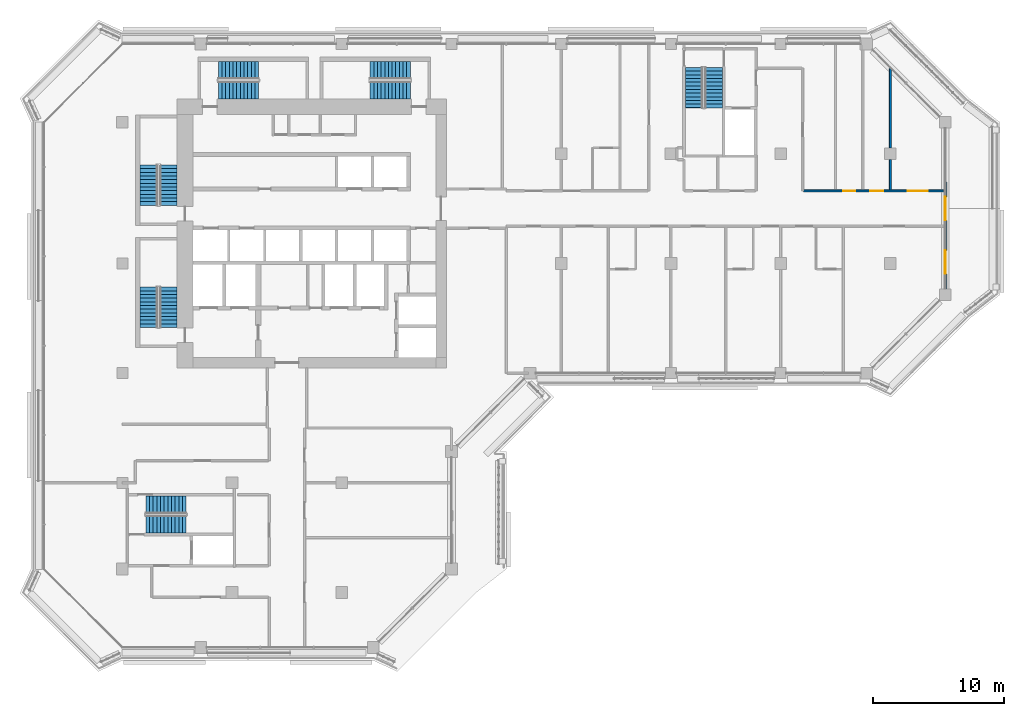
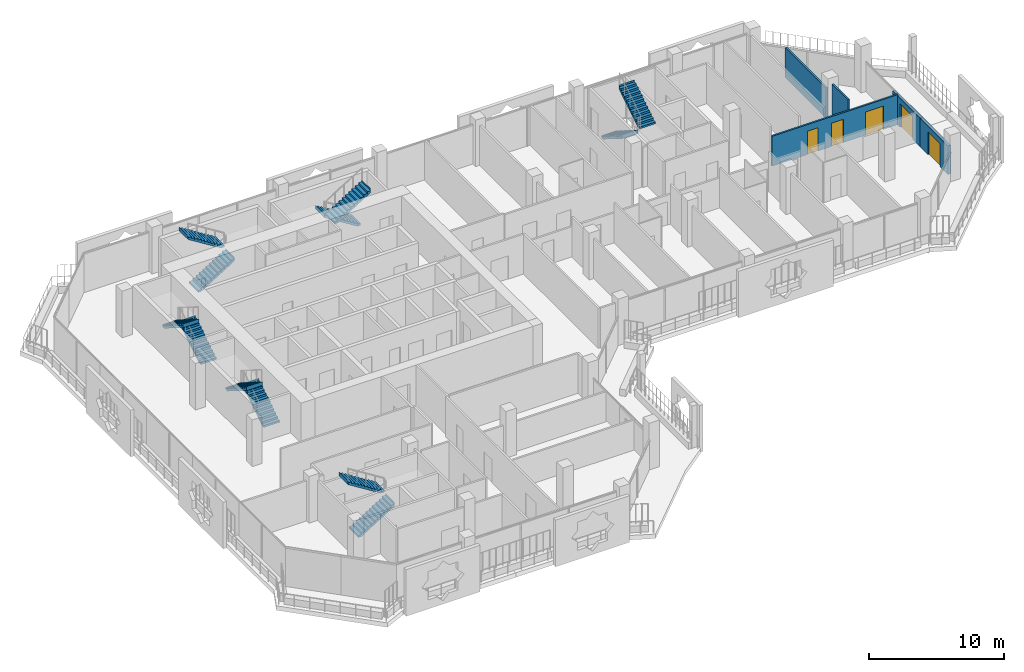
# One storey, part 13 of 21: 12 stair flights, 5 doors, 5 walls, 5 openings, 6 elements without a shape of their own.
"""IFC4 building model written with IfcOpenShell, lengths in metres."""

import ifcopenshell
import ifcopenshell.guid

model = None  # the IFC model being written
_history = None  # IfcOwnerHistory: only IFC2X3 demands one
_inside = {}  # id of a spatial element -> (the spatial element, [elements in it])
_under = {}  # id of a project, library or spatial element -> (it, [spatial elements below it])
_declared = {}  # id of a project -> (the project, [libraries it declares])
_typed = {}  # id of a type object -> (the type object, [elements of that type])
_made_of = {}  # id of a material, layer set ... -> (it, [elements and type objects made of it])


def new_model(schema):
    """Start an empty IFC model of exactly this schema.

    Asked for "IFC4X3", IfcOpenShell would pick the latest addendum, in which some entities
    have other attributes; the version numbers below select the first issue.
    IFC2X3 requires an IfcOwnerHistory on every rooted entity: one is made here for all.
    """
    global model, _history
    if schema == "IFC4X3":
        model = ifcopenshell.file(schema_version=(4, 3, 0, 0))
    else:
        model = ifcopenshell.file(schema=schema)
    _inside.clear()
    _under.clear()
    _declared.clear()
    _typed.clear()
    _made_of.clear()
    _history = None
    if model.schema == "IFC2X3":
        org = make("IfcOrganization", Name="unknown")
        user = make(
            "IfcPersonAndOrganization",
            ThePerson=make("IfcPerson", FamilyName="unknown"),
            TheOrganization=org,
        )
        app = make(
            "IfcApplication",
            ApplicationDeveloper=org,
            Version="unknown",
            ApplicationFullName="unknown",
            ApplicationIdentifier="unknown",
        )
        _history = make(
            "IfcOwnerHistory",
            OwningUser=user,
            OwningApplication=app,
            ChangeAction="ADDED",
            CreationDate=0,
        )
    return model


def make(cls, **values):
    """One entity of the class cls with the attributes given. An attribute that is None is left unset."""
    return model.create_entity(
        cls, **{name: value for name, value in values.items() if value is not None}
    )


def rooted(cls, **values):
    """An entity with a GlobalId (a new one), such as an element, a storey or a relation."""
    return make(cls, GlobalId=ifcopenshell.guid.new(), OwnerHistory=_history, **values)


def si_unit(unit_type, name, prefix=None):
    """IfcSIUnit, for example si_unit("LENGTHUNIT", "METRE", prefix="MILLI")."""
    return make("IfcSIUnit", UnitType=unit_type, Prefix=prefix, Name=name)


def assignment(units):
    """IfcUnitAssignment: the units of a project."""
    return None if units is None else make("IfcUnitAssignment", Units=units)


def point(xyz):
    """IfcCartesianPoint."""
    return None if xyz is None else make("IfcCartesianPoint", Coordinates=xyz)


def direction(xyz):
    """IfcDirection."""
    return None if xyz is None else make("IfcDirection", DirectionRatios=xyz)


def frame(location, z_axis=None, x_axis=None):
    """IfcAxis2Placement3D, a coordinate frame: its origin and axes. An axis left out is left unset."""
    return make(
        "IfcAxis2Placement3D",
        Location=point(location),
        Axis=direction(z_axis),
        RefDirection=direction(x_axis),
    )


def frame_2d(location, x_axis=None):
    """IfcAxis2Placement2D, a coordinate frame in the plane: its origin and x axis."""
    return make(
        "IfcAxis2Placement2D", Location=point(location), RefDirection=direction(x_axis)
    )


def origin():
    """The frame at (0, 0, 0) with its axes left unset."""
    return frame((0.0, 0.0, 0.0))


def place(relative_to, where):
    """IfcLocalPlacement: puts the frame where relative to a parent placement (None: the world)."""
    return make(
        "IfcLocalPlacement", PlacementRelTo=relative_to, RelativePlacement=where
    )


def context(
    kind, dimensions, precision=None, world=None, true_north=None, identifier=None
):
    """IfcGeometricRepresentationContext, for example the 3D "Model" context."""
    return make(
        "IfcGeometricRepresentationContext",
        ContextIdentifier=identifier,
        ContextType=kind,
        CoordinateSpaceDimension=dimensions,
        Precision=precision,
        WorldCoordinateSystem=world,
        TrueNorth=true_north,
    )


def subcontext(parent, identifier, kind, view, scale=None):
    """IfcGeometricRepresentationSubContext, for example "Body" below "Model"."""
    return make(
        "IfcGeometricRepresentationSubContext",
        ContextIdentifier=identifier,
        ContextType=kind,
        ParentContext=parent,
        TargetScale=scale,
        TargetView=view,
    )


def project(units=None, contexts=None):
    """IfcProject with its units and contexts."""
    return rooted(
        "IfcProject",
        Name="project",
        RepresentationContexts=contexts,
        UnitsInContext=assignment(units),
    )


def spatial(cls, under=None, at=None, **own):
    """A site, building, storey or space (cls), placed at a placement, below another one or the project."""
    s = rooted(cls, ObjectPlacement=at, **own)
    if under is not None:
        _under.setdefault(under.id(), (under, []))[1].append(s)
    return s


def polyline(points):
    """IfcPolyline through the points."""
    return make("IfcPolyline", Points=[point(p) for p in points])


def profile(cls, at=None, kind="AREA", **sizes):
    """A parametric profile (cls). Its sizes go by their IFC names, for example OverallWidth=200.0."""
    return make(cls, ProfileType=kind, Position=at, **sizes)


def rectangle(**sizes):
    """IfcRectangleProfileDef."""
    return profile("IfcRectangleProfileDef", **sizes)


def outline(outer, holes=None, kind="AREA"):
    """IfcArbitraryClosedProfileDef: a profile drawn as a closed curve; with holes, ...WithVoids."""
    if holes is None:
        return make("IfcArbitraryClosedProfileDef", ProfileType=kind, OuterCurve=outer)
    return make(
        "IfcArbitraryProfileDefWithVoids",
        ProfileType=kind,
        OuterCurve=outer,
        InnerCurves=holes,
    )


def extrude(swept, where, along, depth):
    """IfcExtrudedAreaSolid: the profile swept, set in the frame where, extruded along a direction by depth."""
    return make(
        "IfcExtrudedAreaSolid",
        SweptArea=swept,
        Position=where,
        ExtrudedDirection=direction(along),
        Depth=depth,
    )


def shape(context_of_items, identifier, shape_type, items):
    """IfcShapeRepresentation: the items that make up one representation, for example the "Body"."""
    return make(
        "IfcShapeRepresentation",
        ContextOfItems=context_of_items,
        RepresentationIdentifier=identifier,
        RepresentationType=shape_type,
        Items=items,
    )


def material(Name=None, Category=None):
    """IfcMaterial."""
    return make("IfcMaterial", Name=Name, Category=Category)


def layer(
    of_material, thickness, ventilated=None, Name=None, Category=None, Priority=None
):
    """IfcMaterialLayer: one layer of a wall or slab, of a material (None: an air gap)."""
    return make(
        "IfcMaterialLayer",
        Material=of_material,
        LayerThickness=thickness,
        IsVentilated=ventilated,
        Name=Name,
        Category=Category,
        Priority=Priority,
    )


def layer_set(layers, Name=None):
    """IfcMaterialLayerSet."""
    return make("IfcMaterialLayerSet", MaterialLayers=layers, LayerSetName=Name)


def made_of(thing, what):
    """Note that an element or type object is made of a material, layer set ...; save() writes the relation."""
    if what is not None:
        _made_of.setdefault(what.id(), (what, []))[1].append(thing)
    return thing


def type_object(cls, material=None, **own):
    """A type object (cls), such as IfcWallType, which elements share."""
    return made_of(rooted(cls, **own), material)


def element(
    cls,
    number,
    at=None,
    inside=None,
    cuts=None,
    type_object=None,
    material=None,
    context=None,
    identifier="Body",
    shape_type=None,
    held_by="IfcProductDefinitionShape",
    body=None,
    shapes=None,
    **own,
):
    """One element of the class cls, such as IfcWall. Its Tag is "e" and its number.

    at: its placement. inside: the storey or other place that contains it. cuts: it is an
    opening in that element (IfcRelVoidsElement). A single representation is given by context,
    identifier, shape_type and body (its items); several are given by shapes. held_by: the class
    of the entity that holds the representations. save() writes the other relations.
    """
    e = rooted(cls, Tag="e%d" % number, ObjectPlacement=at, **own)
    if body is not None:
        shapes = [shape(context, identifier, shape_type, body)]
    if shapes is not None:
        e.Representation = make(held_by, Representations=shapes)
    if inside is not None:
        _inside.setdefault(inside.id(), (inside, []))[1].append(e)
    if cuts is not None:
        rooted(
            "IfcRelVoidsElement", RelatingBuildingElement=cuts, RelatedOpeningElement=e
        )
    if type_object is not None:
        _typed.setdefault(type_object.id(), (type_object, []))[1].append(e)
    return made_of(e, material)


def fill(opening, filler):
    """IfcRelFillsElement: the door or window that sits in an opening."""
    return rooted(
        "IfcRelFillsElement",
        RelatingOpeningElement=opening,
        RelatedBuildingElement=filler,
    )


def aggregate(whole, parts):
    """IfcRelAggregates: a whole, such as a stair, and the parts it consists of."""
    return rooted("IfcRelAggregates", RelatingObject=whole, RelatedObjects=parts)


def save(model, path):
    """Write the relations noted so far, then the file.

    IfcRelAggregates (storeys below a building ...), IfcRelContainedInSpatialStructure (elements
    in a storey), IfcRelDefinesByType, IfcRelAssociatesMaterial and IfcRelDeclares: one each for
    every whole, place, type object, material and project.
    """
    for whole, parts in _under.values():
        aggregate(whole, parts)
    for where, things in _inside.values():
        rooted(
            "IfcRelContainedInSpatialStructure",
            RelatedElements=things,
            RelatingStructure=where,
        )
    for kind, things in _typed.values():
        rooted("IfcRelDefinesByType", RelatedObjects=things, RelatingType=kind)
    for what, things in _made_of.values():
        rooted("IfcRelAssociatesMaterial", RelatedObjects=things, RelatingMaterial=what)
    for by, libraries in _declared.values():
        rooted("IfcRelDeclares", RelatingContext=by, RelatedDefinitions=libraries)
    model.write(path)


model = new_model("IFC4")

# Units and contexts
model_context = context("Model", 3, precision=1e-05, world=origin(), true_north=direction((0.0, 1.0)))
body_context = subcontext(model_context, "Body", "Model", "MODEL_VIEW")
ifc_project = project(units=[si_unit("LENGTHUNIT", "METRE"), si_unit("AREAUNIT", "SQUARE_METRE"), si_unit("VOLUMEUNIT", "CUBIC_METRE"), si_unit("PLANEANGLEUNIT", "RADIAN"), si_unit("MASSUNIT", "GRAM", prefix="KILO")], contexts=[model_context])

# Site, building, storey
site_placement = place(None, origin())
site = spatial("IfcSite", under=ifc_project, at=site_placement, CompositionType="ELEMENT")
building_placement = place(site_placement, origin())
building = spatial("IfcBuilding", under=site, at=building_placement, Name="Kawkab Arch Medical Tower", CompositionType="ELEMENT")
storey_placement = place(building_placement, frame((0.0, 0.0, 264.199951171875)))
storey = spatial("IfcBuildingStorey", under=building, at=storey_placement, Name="L61", CompositionType="ELEMENT", Elevation=264.199951171875)

# Wall, opening, door
ifc_material_1 = material(Name="Bronze clad insulated wall panel")
ifc_layer_1 = layer(ifc_material_1, 0.25)
ifc_layer_set_1 = layer_set([ifc_layer_1], Name="Bronze clad insulated wall panel")
wall_type_1 = type_object("IfcWallType", Name="External wall bay 250", PredefinedType="SOLIDWALL", material=ifc_layer_set_1)
wall_1_placement = place(storey_placement, frame((63.0, -18.75, 0.0), z_axis=(0.0, 0.0, 1.0), x_axis=(0.0, 1.0, 0.0)))
wall_1 = element("IfcWall", 1, at=wall_1_placement, inside=storey, type_object=wall_type_1, Name="External wall bay L61.R09.1.1", PredefinedType="SOLIDWALL", context=body_context, shape_type="SweptSolid", body=[
    extrude(rectangle(XDim=4.10009765625, YDim=0.25, at=frame_2d((2.050048828125, 0.0))), origin(), (0.0, 0.0, 1.0), 2.580078125),
])
opening_1_placement = place(wall_1_placement, frame((1.14990234375, 0.0, 0.0)))
opening_1 = element("IfcOpeningElement", 2, at=opening_1_placement, cuts=wall_1, Name="Opening W56-702", PredefinedType="OPENING", context=body_context, shape_type="SweptSolid", body=[
    extrude(rectangle(XDim=1.800048828125, YDim=2.10009765625, at=frame_2d((0.89990234375, 1.050048828125))), frame((0.0, 0.135009765625, 0.0), z_axis=(0.0, -1.0, 0.0), x_axis=(1.0, 0.0, 0.0)), (0.0, 0.0, 1.0), 0.27001953125),
])
ifc_material_2 = material(Name="Bronze anodised aluminium door with tinted glass", Category="aluminium")
door_type_1 = type_object("IfcDoorType", Name="Double external door 1800 x 2100", OperationType="DOUBLE_DOOR_SINGLE_SWING", PredefinedType="DOOR", material=ifc_material_2)
door_1_placement = place(opening_1_placement, origin())
door_1 = element("IfcDoor", 3, at=door_1_placement, inside=storey, type_object=door_type_1, Name="External door L61.R09.1.1", OperationType="DOUBLE_DOOR_SINGLE_SWING", OverallHeight=2.10009765625, OverallWidth=1.800048828125, PredefinedType="DOOR", context=body_context, shape_type="SweptSolid", body=[
    extrude(rectangle(XDim=1.800048828125, YDim=2.10009765625, at=frame_2d((0.89990234375, 1.050048828125))), frame((0.0, 0.02490234375, 0.0), z_axis=(0.0, -1.0, 0.0), x_axis=(1.0, 0.0, 0.0)), (0.0, 0.0, 1.0), 0.050048828125),
])
fill(opening_1, door_1)

wall_2_placement = place(storey_placement, frame((63.0, -14.64990234375, 0.0), z_axis=(0.0, 0.0, 1.0), x_axis=(0.0, 1.0, 0.0)))
wall_2 = element("IfcWall", 4, at=wall_2_placement, inside=storey, type_object=wall_type_1, Name="External wall bay L61.R09.1.2", PredefinedType="SOLIDWALL", context=body_context, shape_type="SweptSolid", body=[
    extrude(rectangle(XDim=4.099853515625, YDim=0.25, at=frame_2d((2.0498046875, 0.0))), origin(), (0.0, 0.0, 1.0), 2.580078125),
])
opening_2_placement = place(wall_2_placement, frame((1.14990234375, 0.0, 0.0)))
opening_2 = element("IfcOpeningElement", 5, at=opening_2_placement, cuts=wall_2, Name="Opening W56-702", PredefinedType="OPENING", context=body_context, shape_type="SweptSolid", body=[
    extrude(rectangle(XDim=1.800048828125, YDim=2.10009765625, at=frame_2d((0.89990234375, 1.050048828125))), frame((0.0, 0.135009765625, 0.0), z_axis=(0.0, -1.0, 0.0), x_axis=(1.0, 0.0, 0.0)), (0.0, 0.0, 1.0), 0.27001953125),
])
door_2_placement = place(opening_2_placement, origin())
door_2 = element("IfcDoor", 6, at=door_2_placement, inside=storey, type_object=door_type_1, Name="External door L61.R09.1.2", OperationType="DOUBLE_DOOR_SINGLE_SWING", OverallHeight=2.10009765625, OverallWidth=1.800048828125, PredefinedType="DOOR", context=body_context, shape_type="SweptSolid", body=[
    extrude(rectangle(XDim=1.800048828125, YDim=2.10009765625, at=frame_2d((0.89990234375, 1.050048828125))), frame((0.0, 0.02490234375, 0.0), z_axis=(0.0, -1.0, 0.0), x_axis=(1.0, 0.0, 0.0)), (0.0, 0.0, 1.0), 0.050048828125),
])
fill(opening_2, door_2)

# Wall, openings, doors
ifc_material_3 = material(Name="Gypsum board partition on steel studs, mineral wool", Category="steel")
ifc_layer_2 = layer(ifc_material_3, 0.14990234375)
ifc_layer_set_2 = layer_set([ifc_layer_2], Name="Gypsum board partition on steel studs, mineral wool")
wall_type_2 = type_object("IfcWallType", Name="Partition 150", PredefinedType="PARTITIONING", material=ifc_layer_set_2)
wall_3_placement = place(storey_placement, frame((52.16796875, -11.25, 0.0), z_axis=(0.0, 0.0, 1.0), x_axis=(1.0, 0.0, 0.0)))
wall_3 = element("IfcWall", 7, at=wall_3_placement, inside=storey, type_object=wall_type_2, Name="Partition 150 w024", PredefinedType="PARTITIONING", context=body_context, shape_type="SweptSolid", body=[
    extrude(rectangle(XDim=10.751953125, YDim=0.14990234375, at=frame_2d((5.3759765625, 0.0))), origin(), (0.0, 0.0, 1.0), 2.699951171875),
])
opening_3_placement = place(wall_3_placement, frame((3.031982421875, 0.0, 0.0)))
opening_3 = element("IfcOpeningElement", 8, at=opening_3_placement, cuts=wall_3, Name="Opening W56-010", PredefinedType="OPENING", context=body_context, shape_type="SweptSolid", body=[
    extrude(rectangle(XDim=0.89990234375, YDim=2.10009765625, at=frame_2d((0.449951171875, 1.050048828125))), frame((0.0, 0.0849609375, 0.0), z_axis=(0.0, -1.0, 0.0), x_axis=(1.0, 0.0, 0.0)), (0.0, 0.0, 1.0), 0.169921875),
])
opening_4_placement = place(wall_3_placement, frame((5.08203125, 0.0, 0.0)))
opening_4 = element("IfcOpeningElement", 9, at=opening_4_placement, cuts=wall_3, Name="Opening W56-011", PredefinedType="OPENING", context=body_context, shape_type="SweptSolid", body=[
    extrude(rectangle(XDim=1.0, YDim=2.10009765625, at=frame_2d((0.5, 1.050048828125))), frame((0.0, 0.0849609375, 0.0), z_axis=(0.0, -1.0, 0.0), x_axis=(1.0, 0.0, 0.0)), (0.0, 0.0, 1.0), 0.169921875),
])
opening_5_placement = place(wall_3_placement, frame((7.98193359375, 0.0, 0.0)))
opening_5 = element("IfcOpeningElement", 10, at=opening_5_placement, cuts=wall_3, Name="Opening W56-005", PredefinedType="OPENING", context=body_context, shape_type="SweptSolid", body=[
    extrude(rectangle(XDim=1.5, YDim=2.10009765625, at=frame_2d((0.75, 1.050048828125))), frame((0.0, 0.0849609375, 0.0), z_axis=(0.0, -1.0, 0.0), x_axis=(1.0, 0.0, 0.0)), (0.0, 0.0, 1.0), 0.169921875),
])
ifc_material_4 = material(Name="Hollow metal door leaf")
door_type_2 = type_object("IfcDoorType", Name="Double door 1500x2100 FD30S", OperationType="NOTDEFINED", PredefinedType="DOOR", material=ifc_material_4)
door_3_placement = place(opening_5_placement, origin())
door_3 = element("IfcDoor", 11, at=door_3_placement, inside=storey, type_object=door_type_2, Name="Door W56-005", OperationType="DOUBLE_DOOR_SINGLE_SWING", OverallHeight=2.10009765625, OverallWidth=1.5, PredefinedType="DOOR", context=body_context, shape_type="SweptSolid", body=[
    extrude(rectangle(XDim=1.5, YDim=2.10009765625, at=frame_2d((0.75, 1.050048828125))), frame((0.0, 0.02490234375, 0.0), z_axis=(0.0, -1.0, 0.0), x_axis=(1.0, 0.0, 0.0)), (0.0, 0.0, 1.0), 0.050048828125),
])
fill(opening_5, door_3)
ifc_material_5 = material(Name="Timber door leaf", Category="wood")
door_type_3 = type_object("IfcDoorType", Name="Single door 1000x2100", OperationType="NOTDEFINED", PredefinedType="DOOR", material=ifc_material_5)
door_4_placement = place(opening_4_placement, origin())
door_4 = element("IfcDoor", 12, at=door_4_placement, inside=storey, type_object=door_type_3, Name="Door W56-011", OperationType="SINGLE_SWING_RIGHT", OverallHeight=2.10009765625, OverallWidth=1.0, PredefinedType="DOOR", context=body_context, shape_type="SweptSolid", body=[
    extrude(rectangle(XDim=1.0, YDim=2.10009765625, at=frame_2d((0.5, 1.050048828125))), frame((0.0, 0.02490234375, 0.0), z_axis=(0.0, -1.0, 0.0), x_axis=(1.0, 0.0, 0.0)), (0.0, 0.0, 1.0), 0.050048828125),
])
fill(opening_4, door_4)
ifc_material_6 = material(Name="Timber door leaf", Category="wood")
door_type_4 = type_object("IfcDoorType", Name="Single door 900x2100", OperationType="NOTDEFINED", PredefinedType="DOOR", material=ifc_material_6)
door_5_placement = place(opening_3_placement, origin())
door_5 = element("IfcDoor", 13, at=door_5_placement, inside=storey, type_object=door_type_4, Name="Door W56-010", OperationType="SINGLE_SWING_LEFT", OverallHeight=2.10009765625, OverallWidth=0.89990234375, PredefinedType="DOOR", context=body_context, shape_type="SweptSolid", body=[
    extrude(rectangle(XDim=0.89990234375, YDim=2.10009765625, at=frame_2d((0.449951171875, 1.050048828125))), frame((0.0, 0.02490234375, 0.0), z_axis=(0.0, -1.0, 0.0), x_axis=(1.0, 0.0, 0.0)), (0.0, 0.0, 1.0), 0.050048828125),
])
fill(opening_3, door_5)

# Walls
wall_4_placement = place(storey_placement, frame((58.800048828125, -11.175048828125, 0.0), z_axis=(0.0, 0.0, 1.0), x_axis=(0.0, 1.0, 0.0)))
element("IfcWall", 14, at=wall_4_placement, inside=storey, type_object=wall_type_2, Name="Partition 150 w058", PredefinedType="PARTITIONING", context=body_context, shape_type="SweptSolid", body=[
    extrude(rectangle(XDim=2.324951171875, YDim=0.14990234375, at=frame_2d((1.16259765625, 0.0))), origin(), (0.0, 0.0, 1.0), 3.60009765625),
])
wall_5_placement = place(storey_placement, frame((58.800048828125, -7.949951171875, 0.0), z_axis=(0.0, 0.0, 1.0), x_axis=(0.0, 1.0, 0.0)))
element("IfcWall", 15, at=wall_5_placement, inside=storey, type_object=wall_type_2, Name="Partition 150 w059", PredefinedType="PARTITIONING", context=body_context, shape_type="SweptSolid", body=[
    extrude(rectangle(XDim=6.036865234375, YDim=0.14990234375, at=frame_2d((3.0185546875, 0.0))), origin(), (0.0, 0.0, 1.0), 2.699951171875),
])

# Stair, stair flights
ifc_material_7 = material(Name="Concrete C40/50", Category="concrete")
stair_type = type_object("IfcStairType", Name="Exit stair 1350", PredefinedType="HALF_TURN_STAIR", material=ifc_material_7)
placement = place(storey_placement, origin())
stair_1 = element("IfcStair", 16, at=placement, inside=storey, type_object=stair_type, Name="L61 Exit stair ST1", PredefinedType="HALF_TURN_STAIR")
ifc_material_8 = material(Name="Concrete C40/50", Category="concrete")
stair_flight_type = type_object("IfcStairFlightType", Name="Exit stair flight 1350", PredefinedType="STRAIGHT", material=ifc_material_8)
stair_flight_1_placement = place(storey_placement, frame((3.52490234375, -12.35009765625, 0.0), z_axis=(0.0, 0.0, 1.0), x_axis=(0.0, 1.0, 0.0)))
stair_flight_1 = element("IfcStairFlight", 17, at=stair_flight_1_placement, type_object=stair_flight_type, Name="ST1 flight 1", NumberOfRisers=12, NumberOfTreads=11, PredefinedType="STRAIGHT", RiserHeight=0.175, TreadLength=0.28, context=body_context, shape_type="SweptSolid", body=[
    extrude(outline(polyline([(-0.0029296875, 0.0), (-0.0029296875, 0.175048828125), (0.0, 0.175048828125), (0.280029296875, 0.175048828125), (0.280029296875, 0.35009765625), (0.56005859375, 0.35009765625), (0.56005859375, 0.52490234375), (0.840087890625, 0.52490234375), (0.840087890625, 0.699951171875), (1.1201171875, 0.699951171875), (1.1201171875, 0.875), (1.39990234375, 0.875), (1.39990234375, 1.050048828125), (1.679931640625, 1.050048828125), (1.679931640625, 1.22509765625), (1.9599609375, 1.22509765625), (1.9599609375, 1.39990234375), (2.239990234375, 1.39990234375), (2.239990234375, 1.574951171875), (2.52001953125, 1.574951171875), (2.52001953125, 1.75), (2.800048828125, 1.75), (2.800048828125, 1.925048828125), (3.080078125, 1.925048828125), (3.080078125, 2.10009765625), (3.0830078125, 2.10009765625), (3.0830078125, 1.748291015625), (3.080078125, 1.748291015625), (0.28271484375, 0.0), (-0.0029296875, 0.0)])), frame((0.0, 0.675048828125, 0.0), z_axis=(0.0, -1.0, 0.0), x_axis=(1.0, 0.0, 0.0)), (0.0, 0.0, 1.0), 1.35009765625),
])
stair_flight_2_placement = place(storey_placement, frame((2.02490234375, -9.27001953125, 2.10009765625), z_axis=(0.0, 0.0, 1.0), x_axis=(0.0, -1.0, 0.0)))
stair_flight_2 = element("IfcStairFlight", 18, at=stair_flight_2_placement, type_object=stair_flight_type, Name="ST1 flight 2", NumberOfRisers=12, NumberOfTreads=11, PredefinedType="STRAIGHT", RiserHeight=0.175, TreadLength=0.28, context=body_context, shape_type="SweptSolid", body=[
    extrude(outline(polyline([(-0.0029296875, 0.0), (-0.0029296875, 0.175048828125), (0.0, 0.175048828125), (0.280029296875, 0.175048828125), (0.280029296875, 0.35009765625), (0.56005859375, 0.35009765625), (0.56005859375, 0.52490234375), (0.840087890625, 0.52490234375), (0.840087890625, 0.699951171875), (1.1201171875, 0.699951171875), (1.1201171875, 0.875), (1.39990234375, 0.875), (1.39990234375, 1.050048828125), (1.679931640625, 1.050048828125), (1.679931640625, 1.22509765625), (1.9599609375, 1.22509765625), (1.9599609375, 1.39990234375), (2.239990234375, 1.39990234375), (2.239990234375, 1.574951171875), (2.52001953125, 1.574951171875), (2.52001953125, 1.75), (2.800048828125, 1.75), (2.800048828125, 1.925048828125), (3.080078125, 1.925048828125), (3.080078125, 2.10009765625), (3.0830078125, 2.10009765625), (3.0830078125, 1.748291015625), (3.080078125, 1.748291015625), (0.28271484375, 0.0), (-0.0029296875, 0.0)])), frame((0.0, 0.675048828125, 0.0), z_axis=(0.0, -1.0, 0.0), x_axis=(1.0, 0.0, 0.0)), (0.0, 0.0, 1.0), 1.35009765625),
])
aggregate(stair_1, [stair_flight_1, stair_flight_2])

stair_2 = element("IfcStair", 19, at=placement, inside=storey, type_object=stair_type, Name="L61 Exit stair ST2", PredefinedType="HALF_TURN_STAIR")
stair_flight_3_placement = place(storey_placement, frame((3.52490234375, -21.699951171875, 0.0), z_axis=(0.0, 0.0, 1.0), x_axis=(0.0, 1.0, 0.0)))
stair_flight_3 = element("IfcStairFlight", 20, at=stair_flight_3_placement, type_object=stair_flight_type, Name="ST2 flight 1", NumberOfRisers=12, NumberOfTreads=11, PredefinedType="STRAIGHT", RiserHeight=0.175, TreadLength=0.28, context=body_context, shape_type="SweptSolid", body=[
    extrude(outline(polyline([(-0.0029296875, 0.0), (-0.0029296875, 0.175048828125), (0.0, 0.175048828125), (0.280029296875, 0.175048828125), (0.280029296875, 0.35009765625), (0.56005859375, 0.35009765625), (0.56005859375, 0.52490234375), (0.840087890625, 0.52490234375), (0.840087890625, 0.699951171875), (1.1201171875, 0.699951171875), (1.1201171875, 0.875), (1.39990234375, 0.875), (1.39990234375, 1.050048828125), (1.679931640625, 1.050048828125), (1.679931640625, 1.22509765625), (1.9599609375, 1.22509765625), (1.9599609375, 1.39990234375), (2.239990234375, 1.39990234375), (2.239990234375, 1.574951171875), (2.52001953125, 1.574951171875), (2.52001953125, 1.75), (2.800048828125, 1.75), (2.800048828125, 1.925048828125), (3.080078125, 1.925048828125), (3.080078125, 2.10009765625), (3.0830078125, 2.10009765625), (3.0830078125, 1.748291015625), (3.080078125, 1.748291015625), (0.28271484375, 0.0), (-0.0029296875, 0.0)])), frame((0.0, 0.675048828125, 0.0), z_axis=(0.0, -1.0, 0.0), x_axis=(1.0, 0.0, 0.0)), (0.0, 0.0, 1.0), 1.35009765625),
])
stair_flight_4_placement = place(storey_placement, frame((2.02490234375, -18.6201171875, 2.10009765625), z_axis=(0.0, 0.0, 1.0), x_axis=(0.0, -1.0, 0.0)))
stair_flight_4 = element("IfcStairFlight", 21, at=stair_flight_4_placement, type_object=stair_flight_type, Name="ST2 flight 2", NumberOfRisers=12, NumberOfTreads=11, PredefinedType="STRAIGHT", RiserHeight=0.175, TreadLength=0.28, context=body_context, shape_type="SweptSolid", body=[
    extrude(outline(polyline([(-0.0029296875, 0.0), (-0.0029296875, 0.175048828125), (0.0, 0.175048828125), (0.280029296875, 0.175048828125), (0.280029296875, 0.35009765625), (0.56005859375, 0.35009765625), (0.56005859375, 0.52490234375), (0.840087890625, 0.52490234375), (0.840087890625, 0.699951171875), (1.1201171875, 0.699951171875), (1.1201171875, 0.875), (1.39990234375, 0.875), (1.39990234375, 1.050048828125), (1.679931640625, 1.050048828125), (1.679931640625, 1.22509765625), (1.9599609375, 1.22509765625), (1.9599609375, 1.39990234375), (2.239990234375, 1.39990234375), (2.239990234375, 1.574951171875), (2.52001953125, 1.574951171875), (2.52001953125, 1.75), (2.800048828125, 1.75), (2.800048828125, 1.925048828125), (3.080078125, 1.925048828125), (3.080078125, 2.10009765625), (3.0830078125, 2.10009765625), (3.0830078125, 1.748291015625), (3.080078125, 1.748291015625), (0.28271484375, 0.0), (-0.0029296875, 0.0)])), frame((0.0, 0.675048828125, 0.0), z_axis=(0.0, -1.0, 0.0), x_axis=(1.0, 0.0, 0.0)), (0.0, 0.0, 1.0), 1.35009765625),
])
aggregate(stair_2, [stair_flight_3, stair_flight_4])

stair_3 = element("IfcStair", 22, at=placement, inside=storey, type_object=stair_type, Name="L61 Exit stair ST3", PredefinedType="HALF_TURN_STAIR")
stair_flight_5_placement = place(storey_placement, frame((7.35009765625, -3.52490234375, 0.0), z_axis=(0.0, 0.0, 1.0), x_axis=(1.0, 0.0, 0.0)))
stair_flight_5 = element("IfcStairFlight", 23, at=stair_flight_5_placement, type_object=stair_flight_type, Name="ST3 flight 1", NumberOfRisers=12, NumberOfTreads=11, PredefinedType="STRAIGHT", RiserHeight=0.175, TreadLength=0.28, context=body_context, shape_type="SweptSolid", body=[
    extrude(outline(polyline([(-0.0029296875, 0.0), (-0.0029296875, 0.175048828125), (0.0, 0.175048828125), (0.280029296875, 0.175048828125), (0.280029296875, 0.35009765625), (0.56005859375, 0.35009765625), (0.56005859375, 0.52490234375), (0.840087890625, 0.52490234375), (0.840087890625, 0.699951171875), (1.1201171875, 0.699951171875), (1.1201171875, 0.875), (1.39990234375, 0.875), (1.39990234375, 1.050048828125), (1.679931640625, 1.050048828125), (1.679931640625, 1.22509765625), (1.9599609375, 1.22509765625), (1.9599609375, 1.39990234375), (2.239990234375, 1.39990234375), (2.239990234375, 1.574951171875), (2.52001953125, 1.574951171875), (2.52001953125, 1.75), (2.800048828125, 1.75), (2.800048828125, 1.925048828125), (3.080078125, 1.925048828125), (3.080078125, 2.10009765625), (3.0830078125, 2.10009765625), (3.0830078125, 1.748291015625), (3.080078125, 1.748291015625), (0.28271484375, 0.0), (-0.0029296875, 0.0)])), frame((0.0, 0.675048828125, 0.0), z_axis=(0.0, -1.0, 0.0), x_axis=(1.0, 0.0, 0.0)), (0.0, 0.0, 1.0), 1.35009765625),
])
stair_flight_6_placement = place(storey_placement, frame((10.429931640625, -2.02490234375, 2.10009765625), z_axis=(0.0, 0.0, 1.0), x_axis=(-1.0, 0.0, 0.0)))
stair_flight_6 = element("IfcStairFlight", 24, at=stair_flight_6_placement, type_object=stair_flight_type, Name="ST3 flight 2", NumberOfRisers=12, NumberOfTreads=11, PredefinedType="STRAIGHT", RiserHeight=0.175, TreadLength=0.28, context=body_context, shape_type="SweptSolid", body=[
    extrude(outline(polyline([(-0.0029296875, 0.0), (-0.0029296875, 0.175048828125), (0.0, 0.175048828125), (0.280029296875, 0.175048828125), (0.280029296875, 0.35009765625), (0.56005859375, 0.35009765625), (0.56005859375, 0.52490234375), (0.840087890625, 0.52490234375), (0.840087890625, 0.699951171875), (1.1201171875, 0.699951171875), (1.1201171875, 0.875), (1.39990234375, 0.875), (1.39990234375, 1.050048828125), (1.679931640625, 1.050048828125), (1.679931640625, 1.22509765625), (1.9599609375, 1.22509765625), (1.9599609375, 1.39990234375), (2.239990234375, 1.39990234375), (2.239990234375, 1.574951171875), (2.52001953125, 1.574951171875), (2.52001953125, 1.75), (2.800048828125, 1.75), (2.800048828125, 1.925048828125), (3.080078125, 1.925048828125), (3.080078125, 2.10009765625), (3.0830078125, 2.10009765625), (3.0830078125, 1.748291015625), (3.080078125, 1.748291015625), (0.28271484375, 0.0), (-0.0029296875, 0.0)])), frame((0.0, 0.675048828125, 0.0), z_axis=(0.0, -1.0, 0.0), x_axis=(1.0, 0.0, 0.0)), (0.0, 0.0, 1.0), 1.35009765625),
])
aggregate(stair_3, [stair_flight_5, stair_flight_6])

stair_4 = element("IfcStair", 25, at=placement, inside=storey, type_object=stair_type, Name="L61 Exit stair ST4", PredefinedType="HALF_TURN_STAIR")
stair_flight_7_placement = place(storey_placement, frame((22.050048828125, -2.02490234375, 0.0), z_axis=(0.0, 0.0, 1.0), x_axis=(-1.0, 0.0, 0.0)))
stair_flight_7 = element("IfcStairFlight", 26, at=stair_flight_7_placement, type_object=stair_flight_type, Name="ST4 flight 1", NumberOfRisers=12, NumberOfTreads=11, PredefinedType="STRAIGHT", RiserHeight=0.175, TreadLength=0.28, context=body_context, shape_type="SweptSolid", body=[
    extrude(outline(polyline([(-0.0029296875, 0.0), (-0.0029296875, 0.175048828125), (0.0, 0.175048828125), (0.280029296875, 0.175048828125), (0.280029296875, 0.35009765625), (0.56005859375, 0.35009765625), (0.56005859375, 0.52490234375), (0.840087890625, 0.52490234375), (0.840087890625, 0.699951171875), (1.1201171875, 0.699951171875), (1.1201171875, 0.875), (1.39990234375, 0.875), (1.39990234375, 1.050048828125), (1.679931640625, 1.050048828125), (1.679931640625, 1.22509765625), (1.9599609375, 1.22509765625), (1.9599609375, 1.39990234375), (2.239990234375, 1.39990234375), (2.239990234375, 1.574951171875), (2.52001953125, 1.574951171875), (2.52001953125, 1.75), (2.800048828125, 1.75), (2.800048828125, 1.925048828125), (3.080078125, 1.925048828125), (3.080078125, 2.10009765625), (3.0830078125, 2.10009765625), (3.0830078125, 1.748291015625), (3.080078125, 1.748291015625), (0.28271484375, 0.0), (-0.0029296875, 0.0)])), frame((0.0, 0.675048828125, 0.0), z_axis=(0.0, -1.0, 0.0), x_axis=(1.0, 0.0, 0.0)), (0.0, 0.0, 1.0), 1.35009765625),
])
stair_flight_8_placement = place(storey_placement, frame((18.969970703125, -3.52490234375, 2.10009765625), z_axis=(0.0, 0.0, 1.0), x_axis=(1.0, 0.0, 0.0)))
stair_flight_8 = element("IfcStairFlight", 27, at=stair_flight_8_placement, type_object=stair_flight_type, Name="ST4 flight 2", NumberOfRisers=12, NumberOfTreads=11, PredefinedType="STRAIGHT", RiserHeight=0.175, TreadLength=0.28, context=body_context, shape_type="SweptSolid", body=[
    extrude(outline(polyline([(-0.0029296875, 0.0), (-0.0029296875, 0.175048828125), (0.0, 0.175048828125), (0.280029296875, 0.175048828125), (0.280029296875, 0.35009765625), (0.56005859375, 0.35009765625), (0.56005859375, 0.52490234375), (0.840087890625, 0.52490234375), (0.840087890625, 0.699951171875), (1.1201171875, 0.699951171875), (1.1201171875, 0.875), (1.39990234375, 0.875), (1.39990234375, 1.050048828125), (1.679931640625, 1.050048828125), (1.679931640625, 1.22509765625), (1.9599609375, 1.22509765625), (1.9599609375, 1.39990234375), (2.239990234375, 1.39990234375), (2.239990234375, 1.574951171875), (2.52001953125, 1.574951171875), (2.52001953125, 1.75), (2.800048828125, 1.75), (2.800048828125, 1.925048828125), (3.080078125, 1.925048828125), (3.080078125, 2.10009765625), (3.0830078125, 2.10009765625), (3.0830078125, 1.748291015625), (3.080078125, 1.748291015625), (0.28271484375, 0.0), (-0.0029296875, 0.0)])), frame((0.0, 0.675048828125, 0.0), z_axis=(0.0, -1.0, 0.0), x_axis=(1.0, 0.0, 0.0)), (0.0, 0.0, 1.0), 1.35009765625),
])
aggregate(stair_4, [stair_flight_7, stair_flight_8])

stair_5 = element("IfcStair", 28, at=placement, inside=storey, type_object=stair_type, Name="L61 Exit stair ST5", PredefinedType="HALF_TURN_STAIR")
stair_flight_9_placement = place(storey_placement, frame((43.77490234375, -1.800048828125, 0.0), z_axis=(0.0, 0.0, 1.0), x_axis=(0.0, -1.0, 0.0)))
stair_flight_9 = element("IfcStairFlight", 29, at=stair_flight_9_placement, type_object=stair_flight_type, Name="ST5 flight 1", NumberOfRisers=12, NumberOfTreads=11, PredefinedType="STRAIGHT", RiserHeight=0.175, TreadLength=0.28, context=body_context, shape_type="SweptSolid", body=[
    extrude(outline(polyline([(-0.0029296875, 0.0), (-0.0029296875, 0.175048828125), (0.0, 0.175048828125), (0.280029296875, 0.175048828125), (0.280029296875, 0.35009765625), (0.56005859375, 0.35009765625), (0.56005859375, 0.52490234375), (0.840087890625, 0.52490234375), (0.840087890625, 0.699951171875), (1.1201171875, 0.699951171875), (1.1201171875, 0.875), (1.39990234375, 0.875), (1.39990234375, 1.050048828125), (1.679931640625, 1.050048828125), (1.679931640625, 1.22509765625), (1.9599609375, 1.22509765625), (1.9599609375, 1.39990234375), (2.239990234375, 1.39990234375), (2.239990234375, 1.574951171875), (2.52001953125, 1.574951171875), (2.52001953125, 1.75), (2.800048828125, 1.75), (2.800048828125, 1.925048828125), (3.080078125, 1.925048828125), (3.080078125, 2.10009765625), (3.0830078125, 2.10009765625), (3.0830078125, 1.748291015625), (3.080078125, 1.748291015625), (0.28271484375, 0.0), (-0.0029296875, 0.0)])), frame((0.0, 0.675048828125, 0.0), z_axis=(0.0, -1.0, 0.0), x_axis=(1.0, 0.0, 0.0)), (0.0, 0.0, 1.0), 1.35009765625),
])
stair_flight_10_placement = place(storey_placement, frame((45.27490234375, -4.8798828125, 2.10009765625), z_axis=(0.0, 0.0, 1.0), x_axis=(0.0, 1.0, 0.0)))
stair_flight_10 = element("IfcStairFlight", 30, at=stair_flight_10_placement, type_object=stair_flight_type, Name="ST5 flight 2", NumberOfRisers=12, NumberOfTreads=11, PredefinedType="STRAIGHT", RiserHeight=0.175, TreadLength=0.28, context=body_context, shape_type="SweptSolid", body=[
    extrude(outline(polyline([(-0.0029296875, 0.0), (-0.0029296875, 0.175048828125), (0.0, 0.175048828125), (0.280029296875, 0.175048828125), (0.280029296875, 0.35009765625), (0.56005859375, 0.35009765625), (0.56005859375, 0.52490234375), (0.840087890625, 0.52490234375), (0.840087890625, 0.699951171875), (1.1201171875, 0.699951171875), (1.1201171875, 0.875), (1.39990234375, 0.875), (1.39990234375, 1.050048828125), (1.679931640625, 1.050048828125), (1.679931640625, 1.22509765625), (1.9599609375, 1.22509765625), (1.9599609375, 1.39990234375), (2.239990234375, 1.39990234375), (2.239990234375, 1.574951171875), (2.52001953125, 1.574951171875), (2.52001953125, 1.75), (2.800048828125, 1.75), (2.800048828125, 1.925048828125), (3.080078125, 1.925048828125), (3.080078125, 2.10009765625), (3.0830078125, 2.10009765625), (3.0830078125, 1.748291015625), (3.080078125, 1.748291015625), (0.28271484375, 0.0), (-0.0029296875, 0.0)])), frame((0.0, 0.675048828125, 0.0), z_axis=(0.0, -1.0, 0.0), x_axis=(1.0, 0.0, 0.0)), (0.0, 0.0, 1.0), 1.35009765625),
])
aggregate(stair_5, [stair_flight_9, stair_flight_10])

stair_6 = element("IfcStair", 31, at=placement, inside=storey, type_object=stair_type, Name="L61 Exit stair ST6", PredefinedType="HALF_TURN_STAIR")
stair_flight_11_placement = place(storey_placement, frame((1.800048828125, -36.77490234375, 0.0), z_axis=(0.0, 0.0, 1.0), x_axis=(1.0, 0.0, 0.0)))
stair_flight_11 = element("IfcStairFlight", 32, at=stair_flight_11_placement, type_object=stair_flight_type, Name="ST6 flight 1", NumberOfRisers=12, NumberOfTreads=11, PredefinedType="STRAIGHT", RiserHeight=0.175, TreadLength=0.28, context=body_context, shape_type="SweptSolid", body=[
    extrude(outline(polyline([(-0.0029296875, 0.0), (-0.0029296875, 0.175048828125), (0.0, 0.175048828125), (0.280029296875, 0.175048828125), (0.280029296875, 0.35009765625), (0.56005859375, 0.35009765625), (0.56005859375, 0.52490234375), (0.840087890625, 0.52490234375), (0.840087890625, 0.699951171875), (1.1201171875, 0.699951171875), (1.1201171875, 0.875), (1.39990234375, 0.875), (1.39990234375, 1.050048828125), (1.679931640625, 1.050048828125), (1.679931640625, 1.22509765625), (1.9599609375, 1.22509765625), (1.9599609375, 1.39990234375), (2.239990234375, 1.39990234375), (2.239990234375, 1.574951171875), (2.52001953125, 1.574951171875), (2.52001953125, 1.75), (2.800048828125, 1.75), (2.800048828125, 1.925048828125), (3.080078125, 1.925048828125), (3.080078125, 2.10009765625), (3.0830078125, 2.10009765625), (3.0830078125, 1.748291015625), (3.080078125, 1.748291015625), (0.28271484375, 0.0), (-0.0029296875, 0.0)])), frame((0.0, 0.675048828125, 0.0), z_axis=(0.0, -1.0, 0.0), x_axis=(1.0, 0.0, 0.0)), (0.0, 0.0, 1.0), 1.35009765625),
])
stair_flight_12_placement = place(storey_placement, frame((4.8798828125, -35.27490234375, 2.10009765625), z_axis=(0.0, 0.0, 1.0), x_axis=(-1.0, 0.0, 0.0)))
stair_flight_12 = element("IfcStairFlight", 33, at=stair_flight_12_placement, type_object=stair_flight_type, Name="ST6 flight 2", NumberOfRisers=12, NumberOfTreads=11, PredefinedType="STRAIGHT", RiserHeight=0.175, TreadLength=0.28, context=body_context, shape_type="SweptSolid", body=[
    extrude(outline(polyline([(-0.0029296875, 0.0), (-0.0029296875, 0.175048828125), (0.0, 0.175048828125), (0.280029296875, 0.175048828125), (0.280029296875, 0.35009765625), (0.56005859375, 0.35009765625), (0.56005859375, 0.52490234375), (0.840087890625, 0.52490234375), (0.840087890625, 0.699951171875), (1.1201171875, 0.699951171875), (1.1201171875, 0.875), (1.39990234375, 0.875), (1.39990234375, 1.050048828125), (1.679931640625, 1.050048828125), (1.679931640625, 1.22509765625), (1.9599609375, 1.22509765625), (1.9599609375, 1.39990234375), (2.239990234375, 1.39990234375), (2.239990234375, 1.574951171875), (2.52001953125, 1.574951171875), (2.52001953125, 1.75), (2.800048828125, 1.75), (2.800048828125, 1.925048828125), (3.080078125, 1.925048828125), (3.080078125, 2.10009765625), (3.0830078125, 2.10009765625), (3.0830078125, 1.748291015625), (3.080078125, 1.748291015625), (0.28271484375, 0.0), (-0.0029296875, 0.0)])), frame((0.0, 0.675048828125, 0.0), z_axis=(0.0, -1.0, 0.0), x_axis=(1.0, 0.0, 0.0)), (0.0, 0.0, 1.0), 1.35009765625),
])
aggregate(stair_6, [stair_flight_11, stair_flight_12])

save(model, "model.ifc")
